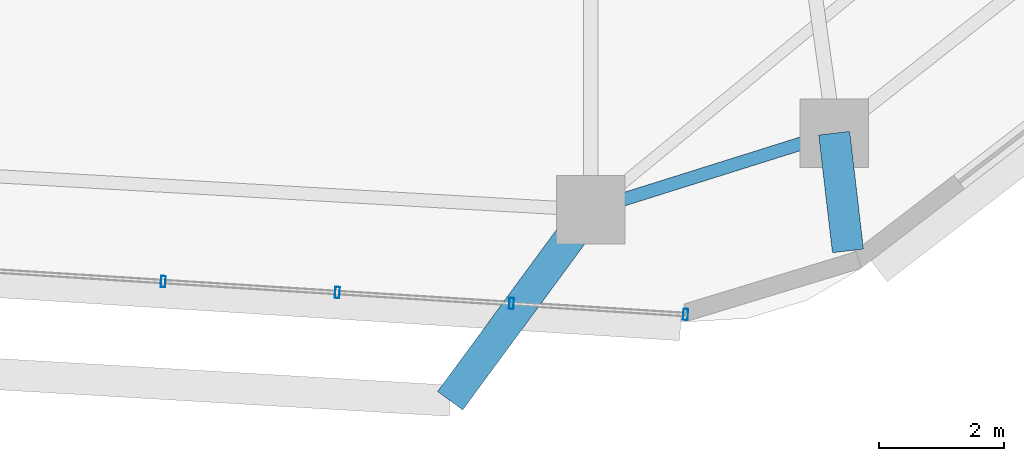
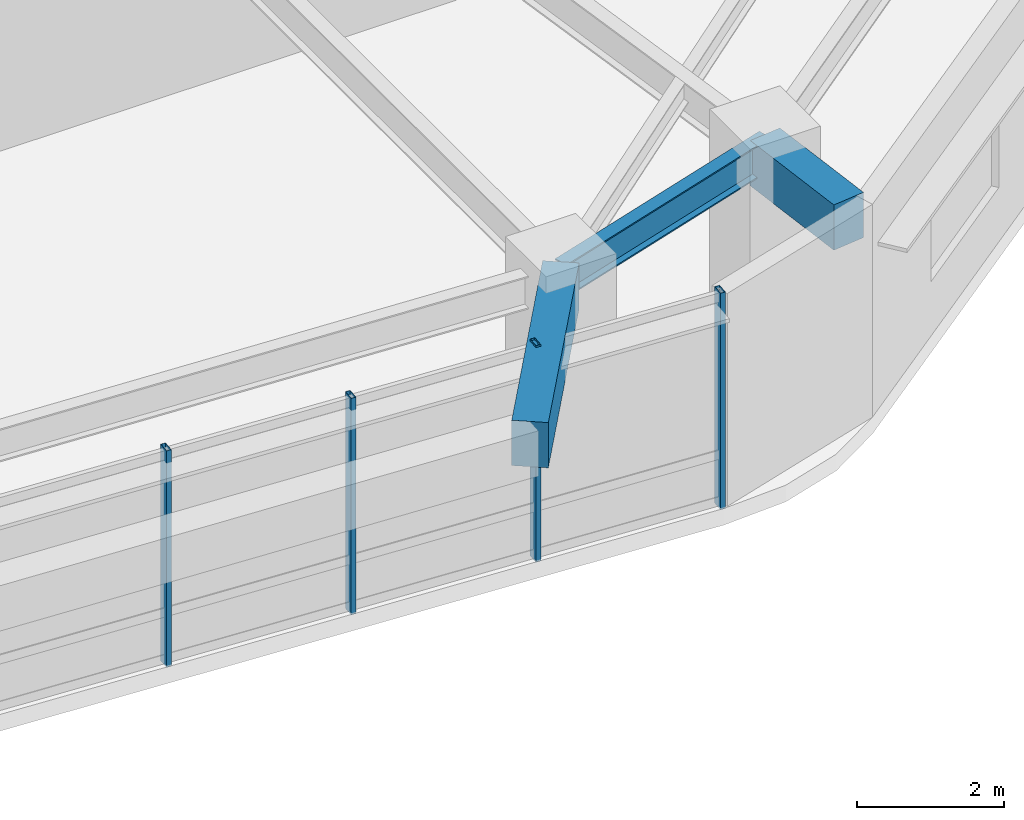
# One storey, part 4 of 12: 4 members, 3 beams, 1 element without a shape of its own.
"""IFC4 building model written with IfcOpenShell, lengths in metres."""

from ifc_helpers import new_model, si_unit, direction, frame, origin, origin_2d, place, context, subcontext, project, spatial, rectangle, hollow_rectangle, i_section, extrude, material, material_profile, profile_set, type_object, element, aggregate, save


model = new_model("IFC4")

# Units and contexts
model_context = context("Model", 3, precision=1e-05, world=origin(), true_north=direction((0.0, 1.0)))
body_context = subcontext(model_context, "Body", "Model", "MODEL_VIEW")
ifc_project = project(units=[si_unit("LENGTHUNIT", "METRE"), si_unit("AREAUNIT", "SQUARE_METRE"), si_unit("VOLUMEUNIT", "CUBIC_METRE"), si_unit("PLANEANGLEUNIT", "RADIAN"), si_unit("MASSUNIT", "GRAM", prefix="KILO")], contexts=[model_context])

# Site, building, storey
site_placement = place(None, origin())
site = spatial("IfcSite", under=ifc_project, at=site_placement, CompositionType="ELEMENT")
building_placement = place(site_placement, origin())
building = spatial("IfcBuilding", under=site, at=building_placement, Name="Zulverin Broadcast Headquarters", CompositionType="ELEMENT")
storey_placement = place(building_placement, frame((0.0, 0.0, 93.39990234375)))
storey = spatial("IfcBuildingStorey", under=building, at=storey_placement, Name="L23", CompositionType="ELEMENT", Elevation=93.39990234375)

# Beams
ifc_material_1 = material(Name="Concrete C40/50", Category="concrete")
ifc_material_profile_1 = material_profile(ifc_material_1, rectangle(XDim=0.5, YDim=0.75, at=origin_2d()), Name="Concrete C40/50", Category="concrete")
ifc_profile_set_1 = profile_set([ifc_material_profile_1], Name="Concrete C40/50")
beam_type_1 = type_object("IfcBeamType", Name="BM-RC-500x750", PredefinedType="BEAM", material=ifc_profile_set_1)
beam_1_placement = place(storey_placement, frame((50.08056640625, 4.22509765625, 3.150146484375), z_axis=(0.115916621896, -0.99325894749, 0.0), x_axis=(0.99325894749, 0.115916621896, 0.0)))
element("IfcBeam", 1, at=beam_1_placement, inside=storey, type_object=beam_type_1, Name="L24 Plate Overhang Back-Spanned Beam OVR-03", PredefinedType="BEAM", context=body_context, shape_type="SweptSolid", body=[
    extrude(rectangle(XDim=0.5, YDim=0.75, at=origin_2d()), origin(), (0.0, 0.0, 1.0), 1.899658203125),
])
beam_2_placement = place(storey_placement, frame((46.175048828125, 2.997802734375, 3.150146484375), z_axis=(-0.592479980496, -0.805585174088, 0.0), x_axis=(0.805585174088, -0.592479980496, 0.0)))
element("IfcBeam", 2, at=beam_2_placement, inside=storey, type_object=beam_type_1, Name="L24 Balcony Column-Framed Cantilever BAL_S-2", PredefinedType="BEAM", context=body_context, shape_type="SweptSolid", body=[
    extrude(rectangle(XDim=0.5, YDim=0.75, at=origin_2d()), origin(), (0.0, 0.0, 1.0), 3.800048828125),
])
ifc_material_2 = material(Name="Structural steel S355JR", Category="steel")
ifc_material_profile_2 = material_profile(ifc_material_2, i_section(OverallWidth=0.2119140625, OverallDepth=0.54443359375, WebThickness=0.0126953125, FlangeThickness=0.021240234375, at=origin_2d()), Name="Structural steel S355JR", Category="steel")
ifc_profile_set_2 = profile_set([ifc_material_profile_2], Name="Structural steel S355JR")
beam_type_2 = type_object("IfcBeamType", Name="BM-UB-533", PredefinedType="SPANDREL", material=ifc_profile_set_2)
beam_3_placement = place(storey_placement, frame((46.175048828125, 2.997802734375, 3.252685546875), z_axis=(0.954004438448, 0.299792480595, 0.0), x_axis=(-0.299792480595, 0.954004438448, 0.0)))
element("IfcBeam", 3, at=beam_3_placement, inside=storey, type_object=beam_type_2, Name="L23 Perimeter Spandrel Beam SP-02", PredefinedType="SPANDREL", context=body_context, shape_type="SweptSolid", body=[
    extrude(i_section(OverallWidth=0.2119140625, OverallDepth=0.54443359375, WebThickness=0.0126953125, FlangeThickness=0.021240234375, at=origin_2d()), origin(), (0.0, 0.0, 1.0), 4.09375),
])

# Curtain wall, members
ifc_material_3 = material(Name="Low-zone ribbon unitised curtain wall", Category="aluminium")
curtain_wall_type = type_object("IfcCurtainWallType", Name="CW-TWR-LOW", PredefinedType="USERDEFINED", material=ifc_material_3)
curtain_wall_placement = place(storey_placement, origin())
curtain_wall = element("IfcCurtainWall", 4, at=curtain_wall_placement, inside=storey, type_object=curtain_wall_type, Name="L23 Unitised Curtain Wall CW-L23-E1", ObjectType="UNITISED CURTAIN WALL", PredefinedType="USERDEFINED")
ifc_material_4 = material(Name="Anodized pale-metal aluminium alloy 6063-T6", Category="aluminium")
ifc_material_profile_3 = material_profile(ifc_material_4, hollow_rectangle(XDim=0.074951171875, YDim=0.179931640625, WallThickness=0.0048828125, at=origin_2d()), Name="Anodized pale-metal aluminium alloy 6063-T6", Category="aluminium")
ifc_profile_set_3 = profile_set([ifc_material_profile_3], Name="Anodized pale-metal aluminium alloy 6063-T6")
member_type = type_object("IfcMemberType", Name="CW-MUL-180", PredefinedType="MULLION", material=ifc_profile_set_3)
member_1_placement = place(storey_placement, frame((39.32470703125, 1.846923828125, -0.02978515625), z_axis=(0.0, 0.0, 1.0), x_axis=(0.998017182581, -0.062942062821, 0.0)))
member_1 = element("IfcMember", 5, at=member_1_placement, type_object=member_type, Name="CW-L23-E1 Mullion 04", PredefinedType="MULLION", context=body_context, shape_type="SweptSolid", body=[
    extrude(hollow_rectangle(XDim=0.074951171875, YDim=0.179931640625, WallThickness=0.0048828125, at=origin_2d()), origin(), (0.0, 0.0, 1.0), 3.5849609375),
])
member_2_placement = place(storey_placement, frame((42.11572265625, 1.6708984375, -0.02978515625), z_axis=(0.0, 0.0, 1.0), x_axis=(0.998017182581, -0.062942062821, 0.0)))
member_2 = element("IfcMember", 6, at=member_2_placement, type_object=member_type, Name="CW-L23-E1 Mullion 05", PredefinedType="MULLION", context=body_context, shape_type="SweptSolid", body=[
    extrude(hollow_rectangle(XDim=0.074951171875, YDim=0.179931640625, WallThickness=0.0048828125, at=origin_2d()), origin(), (0.0, 0.0, 1.0), 3.5849609375),
])
member_3_placement = place(storey_placement, frame((44.906982421875, 1.4951171875, -0.02978515625), z_axis=(0.0, 0.0, 1.0), x_axis=(0.998017182581, -0.062942062821, 0.0)))
member_3 = element("IfcMember", 7, at=member_3_placement, type_object=member_type, Name="CW-L23-E1 Mullion 06", PredefinedType="MULLION", context=body_context, shape_type="SweptSolid", body=[
    extrude(hollow_rectangle(XDim=0.074951171875, YDim=0.179931640625, WallThickness=0.0048828125, at=origin_2d()), origin(), (0.0, 0.0, 1.0), 3.5849609375),
])
member_4_placement = place(storey_placement, frame((47.6982421875, 1.319091796875, -0.02978515625), z_axis=(0.0, 0.0, 1.0), x_axis=(0.998017182581, -0.062942062821, 0.0)))
member_4 = element("IfcMember", 8, at=member_4_placement, type_object=member_type, Name="CW-L23-E1 Mullion 07", PredefinedType="MULLION", context=body_context, shape_type="SweptSolid", body=[
    extrude(hollow_rectangle(XDim=0.074951171875, YDim=0.179931640625, WallThickness=0.0048828125, at=origin_2d()), origin(), (0.0, 0.0, 1.0), 3.5849609375),
])
aggregate(curtain_wall, [member_1, member_2, member_3, member_4])

save(model, "model.ifc")
